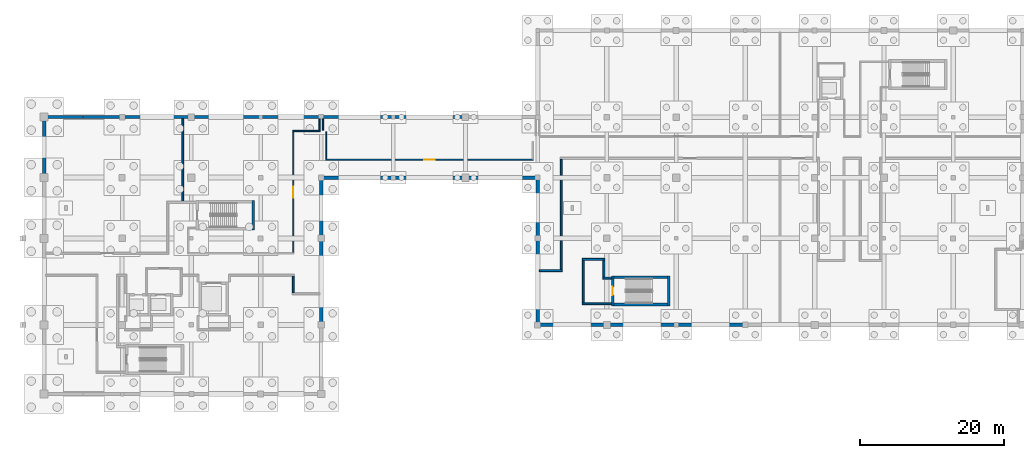
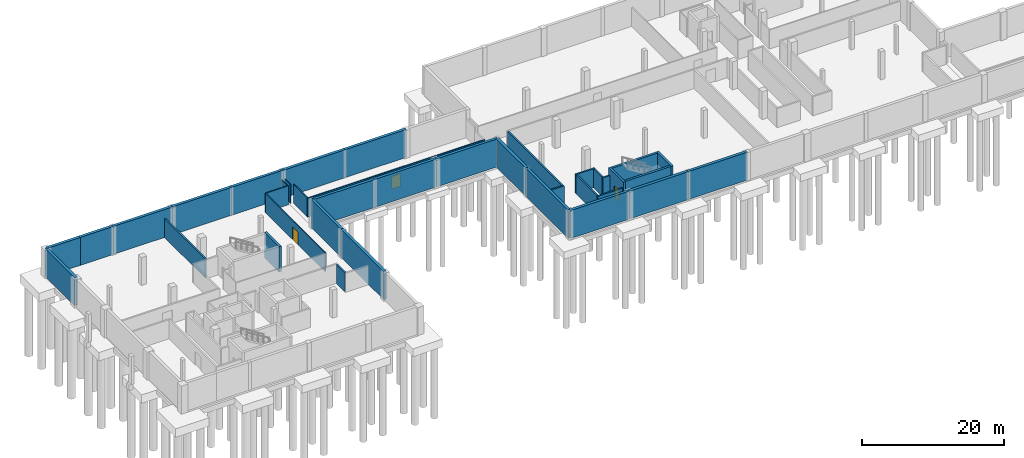
# One storey, part 13 of 28: 38 walls, 3 doors, 3 openings.
"""IFC4 building model written with IfcOpenShell, lengths in metres."""

import ifcopenshell
import ifcopenshell.guid

model = None  # the IFC model being written
_history = None  # IfcOwnerHistory: only IFC2X3 demands one
_inside = {}  # id of a spatial element -> (the spatial element, [elements in it])
_under = {}  # id of a project, library or spatial element -> (it, [spatial elements below it])
_declared = {}  # id of a project -> (the project, [libraries it declares])
_typed = {}  # id of a type object -> (the type object, [elements of that type])
_made_of = {}  # id of a material, layer set ... -> (it, [elements and type objects made of it])


def new_model(schema):
    """Start an empty IFC model of exactly this schema.

    Asked for "IFC4X3", IfcOpenShell would pick the latest addendum, in which some entities
    have other attributes; the version numbers below select the first issue.
    IFC2X3 requires an IfcOwnerHistory on every rooted entity: one is made here for all.
    """
    global model, _history
    if schema == "IFC4X3":
        model = ifcopenshell.file(schema_version=(4, 3, 0, 0))
    else:
        model = ifcopenshell.file(schema=schema)
    _inside.clear()
    _under.clear()
    _declared.clear()
    _typed.clear()
    _made_of.clear()
    _history = None
    if model.schema == "IFC2X3":
        org = make("IfcOrganization", Name="unknown")
        user = make(
            "IfcPersonAndOrganization",
            ThePerson=make("IfcPerson", FamilyName="unknown"),
            TheOrganization=org,
        )
        app = make(
            "IfcApplication",
            ApplicationDeveloper=org,
            Version="unknown",
            ApplicationFullName="unknown",
            ApplicationIdentifier="unknown",
        )
        _history = make(
            "IfcOwnerHistory",
            OwningUser=user,
            OwningApplication=app,
            ChangeAction="ADDED",
            CreationDate=0,
        )
    return model


def make(cls, **values):
    """One entity of the class cls with the attributes given. An attribute that is None is left unset."""
    return model.create_entity(
        cls, **{name: value for name, value in values.items() if value is not None}
    )


def rooted(cls, **values):
    """An entity with a GlobalId (a new one), such as an element, a storey or a relation."""
    return make(cls, GlobalId=ifcopenshell.guid.new(), OwnerHistory=_history, **values)


def si_unit(unit_type, name, prefix=None):
    """IfcSIUnit, for example si_unit("LENGTHUNIT", "METRE", prefix="MILLI")."""
    return make("IfcSIUnit", UnitType=unit_type, Prefix=prefix, Name=name)


def assignment(units):
    """IfcUnitAssignment: the units of a project."""
    return None if units is None else make("IfcUnitAssignment", Units=units)


def point(xyz):
    """IfcCartesianPoint."""
    return None if xyz is None else make("IfcCartesianPoint", Coordinates=xyz)


def direction(xyz):
    """IfcDirection."""
    return None if xyz is None else make("IfcDirection", DirectionRatios=xyz)


def frame(location, z_axis=None, x_axis=None):
    """IfcAxis2Placement3D, a coordinate frame: its origin and axes. An axis left out is left unset."""
    return make(
        "IfcAxis2Placement3D",
        Location=point(location),
        Axis=direction(z_axis),
        RefDirection=direction(x_axis),
    )


def frame_2d(location, x_axis=None):
    """IfcAxis2Placement2D, a coordinate frame in the plane: its origin and x axis."""
    return make(
        "IfcAxis2Placement2D", Location=point(location), RefDirection=direction(x_axis)
    )


def origin():
    """The frame at (0, 0, 0) with its axes left unset."""
    return frame((0.0, 0.0, 0.0))


def place(relative_to, where):
    """IfcLocalPlacement: puts the frame where relative to a parent placement (None: the world)."""
    return make(
        "IfcLocalPlacement", PlacementRelTo=relative_to, RelativePlacement=where
    )


def context(
    kind, dimensions, precision=None, world=None, true_north=None, identifier=None
):
    """IfcGeometricRepresentationContext, for example the 3D "Model" context."""
    return make(
        "IfcGeometricRepresentationContext",
        ContextIdentifier=identifier,
        ContextType=kind,
        CoordinateSpaceDimension=dimensions,
        Precision=precision,
        WorldCoordinateSystem=world,
        TrueNorth=true_north,
    )


def subcontext(parent, identifier, kind, view, scale=None):
    """IfcGeometricRepresentationSubContext, for example "Body" below "Model"."""
    return make(
        "IfcGeometricRepresentationSubContext",
        ContextIdentifier=identifier,
        ContextType=kind,
        ParentContext=parent,
        TargetScale=scale,
        TargetView=view,
    )


def project(units=None, contexts=None):
    """IfcProject with its units and contexts."""
    return rooted(
        "IfcProject",
        Name="project",
        RepresentationContexts=contexts,
        UnitsInContext=assignment(units),
    )


def spatial(cls, under=None, at=None, **own):
    """A site, building, storey or space (cls), placed at a placement, below another one or the project."""
    s = rooted(cls, ObjectPlacement=at, **own)
    if under is not None:
        _under.setdefault(under.id(), (under, []))[1].append(s)
    return s


def profile(cls, at=None, kind="AREA", **sizes):
    """A parametric profile (cls). Its sizes go by their IFC names, for example OverallWidth=200.0."""
    return make(cls, ProfileType=kind, Position=at, **sizes)


def rectangle(**sizes):
    """IfcRectangleProfileDef."""
    return profile("IfcRectangleProfileDef", **sizes)


def extrude(swept, where, along, depth):
    """IfcExtrudedAreaSolid: the profile swept, set in the frame where, extruded along a direction by depth."""
    return make(
        "IfcExtrudedAreaSolid",
        SweptArea=swept,
        Position=where,
        ExtrudedDirection=direction(along),
        Depth=depth,
    )


def shape(context_of_items, identifier, shape_type, items):
    """IfcShapeRepresentation: the items that make up one representation, for example the "Body"."""
    return make(
        "IfcShapeRepresentation",
        ContextOfItems=context_of_items,
        RepresentationIdentifier=identifier,
        RepresentationType=shape_type,
        Items=items,
    )


def material(Name=None, Category=None):
    """IfcMaterial."""
    return make("IfcMaterial", Name=Name, Category=Category)


def layer(
    of_material, thickness, ventilated=None, Name=None, Category=None, Priority=None
):
    """IfcMaterialLayer: one layer of a wall or slab, of a material (None: an air gap)."""
    return make(
        "IfcMaterialLayer",
        Material=of_material,
        LayerThickness=thickness,
        IsVentilated=ventilated,
        Name=Name,
        Category=Category,
        Priority=Priority,
    )


def layer_set(layers, Name=None):
    """IfcMaterialLayerSet."""
    return make("IfcMaterialLayerSet", MaterialLayers=layers, LayerSetName=Name)


def made_of(thing, what):
    """Note that an element or type object is made of a material, layer set ...; save() writes the relation."""
    if what is not None:
        _made_of.setdefault(what.id(), (what, []))[1].append(thing)
    return thing


def type_object(cls, material=None, **own):
    """A type object (cls), such as IfcWallType, which elements share."""
    return made_of(rooted(cls, **own), material)


def element(
    cls,
    number,
    at=None,
    inside=None,
    cuts=None,
    type_object=None,
    material=None,
    context=None,
    identifier="Body",
    shape_type=None,
    held_by="IfcProductDefinitionShape",
    body=None,
    shapes=None,
    **own,
):
    """One element of the class cls, such as IfcWall. Its Tag is "e" and its number.

    at: its placement. inside: the storey or other place that contains it. cuts: it is an
    opening in that element (IfcRelVoidsElement). A single representation is given by context,
    identifier, shape_type and body (its items); several are given by shapes. held_by: the class
    of the entity that holds the representations. save() writes the other relations.
    """
    e = rooted(cls, Tag="e%d" % number, ObjectPlacement=at, **own)
    if body is not None:
        shapes = [shape(context, identifier, shape_type, body)]
    if shapes is not None:
        e.Representation = make(held_by, Representations=shapes)
    if inside is not None:
        _inside.setdefault(inside.id(), (inside, []))[1].append(e)
    if cuts is not None:
        rooted(
            "IfcRelVoidsElement", RelatingBuildingElement=cuts, RelatedOpeningElement=e
        )
    if type_object is not None:
        _typed.setdefault(type_object.id(), (type_object, []))[1].append(e)
    return made_of(e, material)


def fill(opening, filler):
    """IfcRelFillsElement: the door or window that sits in an opening."""
    return rooted(
        "IfcRelFillsElement",
        RelatingOpeningElement=opening,
        RelatedBuildingElement=filler,
    )


def aggregate(whole, parts):
    """IfcRelAggregates: a whole, such as a stair, and the parts it consists of."""
    return rooted("IfcRelAggregates", RelatingObject=whole, RelatedObjects=parts)


def save(model, path):
    """Write the relations noted so far, then the file.

    IfcRelAggregates (storeys below a building ...), IfcRelContainedInSpatialStructure (elements
    in a storey), IfcRelDefinesByType, IfcRelAssociatesMaterial and IfcRelDeclares: one each for
    every whole, place, type object, material and project.
    """
    for whole, parts in _under.values():
        aggregate(whole, parts)
    for where, things in _inside.values():
        rooted(
            "IfcRelContainedInSpatialStructure",
            RelatedElements=things,
            RelatingStructure=where,
        )
    for kind, things in _typed.values():
        rooted("IfcRelDefinesByType", RelatedObjects=things, RelatingType=kind)
    for what, things in _made_of.values():
        rooted("IfcRelAssociatesMaterial", RelatedObjects=things, RelatingMaterial=what)
    for by, libraries in _declared.values():
        rooted("IfcRelDeclares", RelatingContext=by, RelatedDefinitions=libraries)
    model.write(path)


model = new_model("IFC4")

# Units and contexts
model_context = context("Model", 3, precision=1e-05, world=origin(), true_north=direction((0.0, 1.0)))
body_context = subcontext(model_context, "Body", "Model", "MODEL_VIEW")
ifc_project = project(units=[si_unit("LENGTHUNIT", "METRE"), si_unit("AREAUNIT", "SQUARE_METRE"), si_unit("VOLUMEUNIT", "CUBIC_METRE"), si_unit("PLANEANGLEUNIT", "RADIAN"), si_unit("MASSUNIT", "GRAM", prefix="KILO")], contexts=[model_context])

# Site, building, storey
site_placement = place(None, origin())
site = spatial("IfcSite", under=ifc_project, at=site_placement, CompositionType="ELEMENT")
building_placement = place(site_placement, origin())
building = spatial("IfcBuilding", under=site, at=building_placement, Name="Zereglee Splitstone Museum", CompositionType="ELEMENT")
storey_placement = place(building_placement, frame((0.0, 0.0, -4.800048828125)))
storey = spatial("IfcBuildingStorey", under=building, at=storey_placement, Name="B1", CompositionType="ELEMENT", Elevation=-4.800048828125)

# Walls
ifc_material_1 = material(Name="Concrete C40/50", Category="concrete")
ifc_layer_1 = layer(ifc_material_1, 0.449951171875)
ifc_layer_set_1 = layer_set([ifc_layer_1], Name="Concrete C40/50")
wall_type_1 = type_object("IfcWallType", Name="ESW-01", PredefinedType="SHEAR", material=ifc_layer_set_1)
for number, where, z_axis, x_axis, name in (
    (1, (68.0, 38.39990234375, 0.0), (0.0, 0.0, 1.0), (-1.0, 0.0, 0.0), "Basement Perimeter Retaining Wall B1-074"),
    (2, (58.0, 38.39990234375, 0.0), (0.0, 0.0, 1.0), (-1.0, 0.0, 0.0), "Basement Perimeter Retaining Wall B1-075"),
):
    element("IfcWall", number, at=place(storey_placement, frame(where, z_axis=z_axis, x_axis=x_axis)), inside=storey, type_object=wall_type_1, Name=name, PredefinedType="SHEAR", context=body_context, shape_type="SweptSolid", body=[
        extrude(rectangle(XDim=10.0, YDim=0.449951171875, at=frame_2d((5.0, 0.0))), origin(), (0.0, 0.0, 1.0), 4.800048828125),
    ])
wall_1_placement = place(storey_placement, frame((48.0, 38.39990234375, 0.0), z_axis=(0.0, 0.0, 1.0), x_axis=(-1.0, 0.0, 0.0)))
element("IfcWall", 3, at=wall_1_placement, inside=storey, type_object=wall_type_1, Name="Basement Perimeter Retaining Wall B1-076", PredefinedType="SHEAR", context=body_context, shape_type="SweptSolid", body=[
    extrude(rectangle(XDim=8.39990234375, YDim=0.449951171875, at=frame_2d((4.199951171875, 0.0))), origin(), (0.0, 0.0, 1.0), 4.800048828125),
])
for number, where, z_axis, x_axis, name in (
    (4, (39.60009765625, 38.39990234375, 0.0), (0.0, 0.0, 1.0), (-1.0, 0.0, 0.0), "Basement Perimeter Retaining Wall B1-077"),
    (5, (30.0, 38.39990234375, 0.0), (0.0, 0.0, 1.0), (-1.0, 0.0, 0.0), "Basement Perimeter Retaining Wall B1-078"),
):
    element("IfcWall", number, at=place(storey_placement, frame(where, z_axis=z_axis, x_axis=x_axis)), inside=storey, type_object=wall_type_1, Name=name, PredefinedType="SHEAR", context=body_context, shape_type="SweptSolid", body=[
        extrude(rectangle(XDim=9.60009765625, YDim=0.449951171875, at=frame_2d((4.800048828125, 0.0))), origin(), (0.0, 0.0, 1.0), 4.800048828125),
    ])
for number, where, z_axis, x_axis, name in (
    (6, (20.39990234375, 38.39990234375, 0.0), (0.0, 0.0, 1.0), (-1.0, 0.0, 0.0), "Basement Perimeter Retaining Wall B1-079"),
    (7, (15.0, 38.39990234375, 0.0), (0.0, 0.0, 1.0), (-1.0, 0.0, 0.0), "Basement Perimeter Retaining Wall B1-080"),
):
    element("IfcWall", number, at=place(storey_placement, frame(where, z_axis=z_axis, x_axis=x_axis)), inside=storey, type_object=wall_type_1, Name=name, PredefinedType="SHEAR", context=body_context, shape_type="SweptSolid", body=[
        extrude(rectangle(XDim=5.39990234375, YDim=0.449951171875, at=frame_2d((2.699951171875, 0.0))), origin(), (0.0, 0.0, 1.0), 4.800048828125),
    ])
wall_2_placement = place(storey_placement, frame((9.60009765625, 38.39990234375, 0.0), z_axis=(0.0, 0.0, 1.0), x_axis=(0.0, -1.0, 0.0)))
element("IfcWall", 8, at=wall_2_placement, inside=storey, type_object=wall_type_1, Name="Basement Perimeter Retaining Wall B1-081", PredefinedType="SHEAR", context=body_context, shape_type="SweptSolid", body=[
    extrude(rectangle(XDim=8.39990234375, YDim=0.449951171875, at=frame_2d((4.199951171875, 0.0))), origin(), (0.0, 0.0, 1.0), 4.800048828125),
])
wall_3_placement = place(storey_placement, frame((48.0, 9.60009765625, 0.0), z_axis=(0.0, 0.0, 1.0), x_axis=(0.0, 1.0, 0.0)))
element("IfcWall", 9, at=wall_3_placement, inside=storey, type_object=wall_type_1, Name="Basement Perimeter Retaining Wall B1-091", PredefinedType="SHEAR", context=body_context, shape_type="SweptSolid", body=[
    extrude(rectangle(XDim=12.0, YDim=0.449951171875, at=frame_2d((6.0, 0.0))), origin(), (0.0, 0.0, 1.0), 4.800048828125),
])
wall_4_placement = place(storey_placement, frame((48.0, 21.60009765625, 0.0), z_axis=(0.0, 0.0, 1.0), x_axis=(0.0, 1.0, 0.0)))
element("IfcWall", 10, at=wall_4_placement, inside=storey, type_object=wall_type_1, Name="Basement Perimeter Retaining Wall B1-092", PredefinedType="SHEAR", context=body_context, shape_type="SweptSolid", body=[
    extrude(rectangle(XDim=8.39990234375, YDim=0.449951171875, at=frame_2d((4.199951171875, 0.0))), origin(), (0.0, 0.0, 1.0), 4.800048828125),
])
for number, where, z_axis, x_axis, name in (
    (11, (48.0, 30.0, 0.0), (0.0, 0.0, 1.0), (1.0, 0.0, 0.0), "Basement Perimeter Retaining Wall B1-093"),
    (12, (58.0, 30.0, 0.0), (0.0, 0.0, 1.0), (1.0, 0.0, 0.0), "Basement Perimeter Retaining Wall B1-094"),
    (13, (68.0, 30.0, 0.0), (0.0, 0.0, 1.0), (1.0, 0.0, 0.0), "Basement Perimeter Retaining Wall B1-095"),
):
    element("IfcWall", number, at=place(storey_placement, frame(where, z_axis=z_axis, x_axis=x_axis)), inside=storey, type_object=wall_type_1, Name=name, PredefinedType="SHEAR", context=body_context, shape_type="SweptSolid", body=[
        extrude(rectangle(XDim=10.0, YDim=0.449951171875, at=frame_2d((5.0, 0.0))), origin(), (0.0, 0.0, 1.0), 4.800048828125),
    ])
wall_5_placement = place(storey_placement, frame((78.0, 30.0, 0.0), z_axis=(0.0, 0.0, 1.0), x_axis=(0.0, -1.0, 0.0)))
element("IfcWall", 14, at=wall_5_placement, inside=storey, type_object=wall_type_1, Name="Basement Perimeter Retaining Wall B1-096", PredefinedType="SHEAR", context=body_context, shape_type="SweptSolid", body=[
    extrude(rectangle(XDim=8.39990234375, YDim=0.449951171875, at=frame_2d((4.199951171875, 0.0))), origin(), (0.0, 0.0, 1.0), 4.800048828125),
])
wall_6_placement = place(storey_placement, frame((78.0, 21.60009765625, 0.0), z_axis=(0.0, 0.0, 1.0), x_axis=(0.0, -1.0, 0.0)))
element("IfcWall", 15, at=wall_6_placement, inside=storey, type_object=wall_type_1, Name="Basement Perimeter Retaining Wall B1-097", PredefinedType="SHEAR", context=body_context, shape_type="SweptSolid", body=[
    extrude(rectangle(XDim=12.0, YDim=0.449951171875, at=frame_2d((6.0, 0.0))), origin(), (0.0, 0.0, 1.0), 4.800048828125),
])
wall_7_placement = place(storey_placement, frame((78.0, 9.60009765625, 0.0), z_axis=(0.0, 0.0, 1.0), x_axis=(1.0, 0.0, 0.0)))
element("IfcWall", 16, at=wall_7_placement, inside=storey, type_object=wall_type_1, Name="Basement Perimeter Retaining Wall B1-098", PredefinedType="SHEAR", context=body_context, shape_type="SweptSolid", body=[
    extrude(rectangle(XDim=9.60009765625, YDim=0.449951171875, at=frame_2d((4.800048828125, 0.0))), origin(), (0.0, 0.0, 1.0), 4.800048828125),
])
wall_8_placement = place(storey_placement, frame((87.60009765625, 9.60009765625, 0.0), z_axis=(0.0, 0.0, 1.0), x_axis=(1.0, 0.0, 0.0)))
element("IfcWall", 17, at=wall_8_placement, inside=storey, type_object=wall_type_1, Name="Basement Perimeter Retaining Wall B1-099", PredefinedType="SHEAR", context=body_context, shape_type="SweptSolid", body=[
    extrude(rectangle(XDim=9.599853515625, YDim=0.449951171875, at=frame_2d((4.7998046875, 0.0))), origin(), (0.0, 0.0, 1.0), 4.800048828125),
])
wall_9_placement = place(storey_placement, frame((97.199951171875, 9.60009765625, 0.0), z_axis=(0.0, 0.0, 1.0), x_axis=(1.0, 0.0, 0.0)))
element("IfcWall", 18, at=wall_9_placement, inside=storey, type_object=wall_type_1, Name="Basement Perimeter Retaining Wall B1-100", PredefinedType="SHEAR", context=body_context, shape_type="SweptSolid", body=[
    extrude(rectangle(XDim=9.60009765625, YDim=0.449951171875, at=frame_2d((4.800048828125, 0.0))), origin(), (0.0, 0.0, 1.0), 4.800048828125),
])
ifc_material_2 = material(Name="Concrete C45/55", Category="concrete")
ifc_layer_2 = layer(ifc_material_2, 0.360107421875)
ifc_layer_set_2 = layer_set([ifc_layer_2], Name="Concrete C45/55")
wall_type_2 = type_object("IfcWallType", Name="CSW-02", PredefinedType="SHEAR", material=ifc_layer_set_2)
wall_10_placement = place(storey_placement, frame((38.580078125, 22.739990234375, 0.0), z_axis=(0.0, 0.0, 1.0), x_axis=(0.0, 1.0, 0.0)))
element("IfcWall", 19, at=wall_10_placement, inside=storey, type_object=wall_type_2, Name="Stair Core Shear Wall ST-02 B1 East", PredefinedType="SHEAR", context=body_context, shape_type="SweptSolid", body=[
    extrude(rectangle(XDim=4.1201171875, YDim=0.360107421875, at=frame_2d((2.06005859375, 0.0))), origin(), (0.0, 0.0, 1.0), 4.380126953125),
])

# Wall, opening, door
wall_11_placement = place(storey_placement, frame((88.419921875, 12.239990234375, 0.0), z_axis=(0.0, 0.0, 1.0), x_axis=(0.0, 1.0, 0.0)))
wall_11 = element("IfcWall", 20, at=wall_11_placement, inside=storey, type_object=wall_type_2, Name="Stair Core Shear Wall ST-06 B1 West", PredefinedType="SHEAR", context=body_context, shape_type="SweptSolid", body=[
    extrude(rectangle(XDim=4.1201171875, YDim=0.360107421875, at=frame_2d((2.06005859375, 0.0))), origin(), (0.0, 0.0, 1.0), 4.380126953125),
])
opening_1_placement = place(wall_11_placement, frame((1.485107421875, 0.0, 0.0)))
opening_1 = element("IfcOpeningElement", 21, at=opening_1_placement, cuts=wall_11, Name="Opening ID-03", PredefinedType="OPENING", context=body_context, shape_type="SweptSolid", body=[
    extrude(rectangle(XDim=1.14990234375, YDim=2.14990234375, at=frame_2d((0.574951171875, 1.074951171875))), frame((0.0, 0.19482421875, 0.0), z_axis=(0.0, -1.0, 0.0), x_axis=(1.0, 0.0, 0.0)), (0.0, 0.0, 1.0), 0.389892578125),
])
ifc_material_3 = material(Name="Fire-rated steel and Siberian larch leaf", Category="steel")
door_type_1 = type_object("IfcDoorType", Name="ID-03", OperationType="NOTDEFINED", PredefinedType="DOOR", material=ifc_material_3)
door_1_placement = place(opening_1_placement, origin())
door_1 = element("IfcDoor", 22, at=door_1_placement, inside=storey, type_object=door_type_1, Name="Protected Stair Fire Door ST-06 B1", OperationType="SINGLE_SWING_LEFT", OverallHeight=2.14990234375, OverallWidth=1.14990234375, PredefinedType="DOOR", context=body_context, shape_type="SweptSolid", body=[
    extrude(rectangle(XDim=1.14990234375, YDim=2.14990234375, at=frame_2d((0.574951171875, 1.074951171875))), frame((0.0, 0.02490234375, 0.0), z_axis=(0.0, -1.0, 0.0), x_axis=(1.0, 0.0, 0.0)), (0.0, 0.0, 1.0), 0.050048828125),
])
fill(opening_1, door_1)

# Walls
wall_12_placement = place(storey_placement, frame((96.179931640625, 12.239990234375, 0.0), z_axis=(0.0, 0.0, 1.0), x_axis=(0.0, 1.0, 0.0)))
element("IfcWall", 23, at=wall_12_placement, inside=storey, type_object=wall_type_2, Name="Stair Core Shear Wall ST-06 B1 East", PredefinedType="SHEAR", context=body_context, shape_type="SweptSolid", body=[
    extrude(rectangle(XDim=4.1201171875, YDim=0.360107421875, at=frame_2d((2.06005859375, 0.0))), origin(), (0.0, 0.0, 1.0), 4.380126953125),
])
for number, where, z_axis, x_axis, name in (
    (24, (88.60009765625, 16.179931640625, 0.0), (0.0, 0.0, 1.0), (1.0, 0.0, 0.0), "Stair Core Shear Wall ST-06 B1 North"),
    (25, (88.60009765625, 12.419921875, 0.0), (0.0, 0.0, 1.0), (1.0, 0.0, 0.0), "Stair Core Shear Wall ST-06 B1 South"),
):
    element("IfcWall", number, at=place(storey_placement, frame(where, z_axis=z_axis, x_axis=x_axis)), inside=storey, type_object=wall_type_2, Name=name, PredefinedType="SHEAR", context=body_context, shape_type="SweptSolid", body=[
        extrude(rectangle(XDim=7.39990234375, YDim=0.360107421875, at=frame_2d((3.699951171875, 0.0))), origin(), (0.0, 0.0, 1.0), 4.380126953125),
    ])
ifc_layer_3 = layer(ifc_material_1, 0.25)
ifc_layer_set_3 = layer_set([ifc_layer_3], Name="Concrete C40/50")
wall_type_3 = type_object("IfcWallType", Name="IW-03", PredefinedType="PARTITIONING", material=ifc_layer_set_3)
wall_13_placement = place(storey_placement, frame((84.195068359375, 12.52001953125, 0.0), z_axis=(0.0, 0.0, 1.0), x_axis=(1.0, 0.0, 0.0)))
element("IfcWall", 26, at=wall_13_placement, inside=storey, type_object=wall_type_3, Name="Interior Partition B1-0011 (Mineralogy Collection Archive)", PredefinedType="PARTITIONING", context=body_context, shape_type="SweptSolid", body=[
    extrude(rectangle(XDim=4.044921875, YDim=0.25, at=frame_2d((2.0224609375, 0.0))), origin(), (0.0, 0.0, 1.0), 3.260009765625),
])
wall_14_placement = place(storey_placement, frame((87.054931640625, 16.080078125, 0.0), z_axis=(0.0, 0.0, 1.0), x_axis=(1.0, 0.0, 0.0)))
element("IfcWall", 27, at=wall_14_placement, inside=storey, type_object=wall_type_3, Name="Interior Partition B1-0017 (Mineralogy Collection Archive)", PredefinedType="PARTITIONING", context=body_context, shape_type="SweptSolid", body=[
    extrude(rectangle(XDim=1.18505859375, YDim=0.25, at=frame_2d((0.592529296875, 0.0))), origin(), (0.0, 0.0, 1.0), 3.260009765625),
])
wall_15_placement = place(storey_placement, frame((78.22509765625, 17.1201171875, 0.0), z_axis=(0.0, 0.0, 1.0), x_axis=(1.0, 0.0, 0.0)))
element("IfcWall", 28, at=wall_15_placement, inside=storey, type_object=wall_type_3, Name="Interior Partition B1-0024 (Mineralogy Collection Archive)", PredefinedType="PARTITIONING", context=body_context, shape_type="SweptSolid", body=[
    extrude(rectangle(XDim=3.179931640625, YDim=0.25, at=frame_2d((1.58984375, 0.0))), origin(), (0.0, 0.0, 1.0), 3.260009765625),
])
wall_16_placement = place(storey_placement, frame((84.195068359375, 18.679931640625, 0.0), z_axis=(0.0, 0.0, 1.0), x_axis=(1.0, 0.0, 0.0)))
element("IfcWall", 29, at=wall_16_placement, inside=storey, type_object=wall_type_3, Name="Interior Partition B1-0029 (Mineralogy Collection Archive)", PredefinedType="PARTITIONING", context=body_context, shape_type="SweptSolid", body=[
    extrude(rectangle(XDim=3.10986328125, YDim=0.25, at=frame_2d((1.554931640625, 0.0))), origin(), (0.0, 0.0, 1.0), 3.260009765625),
])
wall_17_placement = place(storey_placement, frame((28.800048828125, 26.705078125, 0.0), z_axis=(0.0, 0.0, 1.0), x_axis=(0.0, 1.0, 0.0)))
element("IfcWall", 30, at=wall_17_placement, inside=storey, type_object=wall_type_3, Name="Interior Partition B1-0079 (Paleontology Specimen Archive)", PredefinedType="PARTITIONING", context=body_context, shape_type="SweptSolid", body=[
    extrude(rectangle(XDim=11.469970703125, YDim=0.25, at=frame_2d((5.73486328125, 0.0))), origin(), (0.0, 0.0, 1.0), 3.260009765625),
])
wall_18_placement = place(storey_placement, frame((44.1201171875, 14.044921875, 0.0), z_axis=(0.0, 0.0, 1.0), x_axis=(0.0, 1.0, 0.0)))
element("IfcWall", 31, at=wall_18_placement, inside=storey, type_object=wall_type_3, Name="Interior Partition B1-0085 (Natural History Collection Archive)", PredefinedType="PARTITIONING", context=body_context, shape_type="SweptSolid", body=[
    extrude(rectangle(XDim=2.31005859375, YDim=0.25, at=frame_2d((1.155029296875, 0.0))), origin(), (0.0, 0.0, 1.0), 3.260009765625),
])
wall_19_placement = place(storey_placement, frame((81.280029296875, 17.2451171875, 0.0), z_axis=(0.0, 0.0, 1.0), x_axis=(0.0, 1.0, 0.0)))
element("IfcWall", 32, at=wall_19_placement, inside=storey, type_object=wall_type_3, Name="Interior Partition B1-0093 (Mineralogy Collection Archive)", PredefinedType="PARTITIONING", context=body_context, shape_type="SweptSolid", body=[
    extrude(rectangle(XDim=15.309814453125, YDim=0.25, at=frame_2d((7.65478515625, 0.0))), origin(), (0.0, 0.0, 1.0), 3.260009765625),
])
wall_20_placement = place(storey_placement, frame((84.320068359375, 12.64501953125, 0.0), z_axis=(0.0, 0.0, 1.0), x_axis=(0.0, 1.0, 0.0)))
element("IfcWall", 33, at=wall_20_placement, inside=storey, type_object=wall_type_3, Name="Interior Partition B1-0094 (Mineralogy Collection Archive)", PredefinedType="PARTITIONING", context=body_context, shape_type="SweptSolid", body=[
    extrude(rectangle(XDim=5.909912109375, YDim=0.25, at=frame_2d((2.955078125, 0.0))), origin(), (0.0, 0.0, 1.0), 3.260009765625),
])
wall_21_placement = place(storey_placement, frame((87.179931640625, 16.205078125, 0.0), z_axis=(0.0, 0.0, 1.0), x_axis=(0.0, 1.0, 0.0)))
element("IfcWall", 34, at=wall_21_placement, inside=storey, type_object=wall_type_3, Name="Interior Partition B1-0095 (Mineralogy Collection Archive)", PredefinedType="PARTITIONING", context=body_context, shape_type="SweptSolid", body=[
    extrude(rectangle(XDim=2.349853515625, YDim=0.25, at=frame_2d((1.1748046875, 0.0))), origin(), (0.0, 0.0, 1.0), 3.260009765625),
])

# Wall, opening, door
ifc_material_4 = material(Name="Fire-rated gypsum board partition", Category="masonry")
ifc_layer_4 = layer(ifc_material_4, 0.159912109375)
ifc_layer_set_4 = layer_set([ifc_layer_4], Name="Fire-rated gypsum board partition")
wall_type_4 = type_object("IfcWallType", Name="IW-04", PredefinedType="PARTITIONING", material=ifc_layer_set_4)
wall_22_placement = place(storey_placement, frame((48.60009765625, 32.47998046875, 0.0), z_axis=(0.0, 0.0, 1.0), x_axis=(1.0, 0.0, 0.0)))
wall_22 = element("IfcWall", 35, at=wall_22_placement, inside=storey, type_object=wall_type_4, Name="Interior Partition B1-0047 (Conservation Preparation Studio)", PredefinedType="PARTITIONING", context=body_context, shape_type="SweptSolid", body=[
    extrude(rectangle(XDim=28.7998046875, YDim=0.159912109375, at=frame_2d((14.39990234375, 0.0))), origin(), (0.0, 0.0, 1.0), 3.260009765625),
])
opening_2_placement = place(wall_22_placement, frame((13.64990234375, 0.0, 0.0)))
opening_2 = element("IfcOpeningElement", 36, at=opening_2_placement, cuts=wall_22, Name="Opening ID-07", PredefinedType="OPENING", context=body_context, shape_type="SweptSolid", body=[
    extrude(rectangle(XDim=1.5, YDim=2.199951171875, at=frame_2d((0.75, 1.10009765625))), frame((0.0, 0.0947265625, 0.0), z_axis=(0.0, -1.0, 0.0), x_axis=(1.0, 0.0, 0.0)), (0.0, 0.0, 1.0), 0.189697265625),
])
door_type_2 = type_object("IfcDoorType", Name="ID-07", OperationType="NOTDEFINED", PredefinedType="DOOR", material=ifc_material_3)
door_2_placement = place(opening_2_placement, origin())
door_2 = element("IfcDoor", 37, at=door_2_placement, inside=storey, type_object=door_type_2, Name="Interior Door B1-0006 (Conservation Preparation Studio)", OperationType="DOUBLE_DOOR_SINGLE_SWING", OverallHeight=2.199951171875, OverallWidth=1.5, PredefinedType="DOOR", context=body_context, shape_type="SweptSolid", body=[
    extrude(rectangle(XDim=1.5, YDim=2.199951171875, at=frame_2d((0.75, 1.10009765625))), frame((0.0, 0.02490234375, 0.0), z_axis=(0.0, -1.0, 0.0), x_axis=(1.0, 0.0, 0.0)), (0.0, 0.0, 1.0), 0.050048828125),
])
fill(opening_2, door_2)

# Wall
wall_23_placement = place(storey_placement, frame((44.0400390625, 36.47998046875, 0.0), z_axis=(0.0, 0.0, 1.0), x_axis=(1.0, 0.0, 0.0)))
element("IfcWall", 38, at=wall_23_placement, inside=storey, type_object=wall_type_4, Name="Interior Partition B1-0058 (Stone Conservation Laboratory)", PredefinedType="PARTITIONING", context=body_context, shape_type="SweptSolid", body=[
    extrude(rectangle(XDim=3.800048828125, YDim=0.159912109375, at=frame_2d((1.89990234375, 0.0))), origin(), (0.0, 0.0, 1.0), 3.260009765625),
])

# Wall, opening, door
wall_24_placement = place(storey_placement, frame((44.1201171875, 19.60009765625, 0.0), z_axis=(0.0, 0.0, 1.0), x_axis=(0.0, 1.0, 0.0)))
wall_24 = element("IfcWall", 39, at=wall_24_placement, inside=storey, type_object=wall_type_4, Name="Interior Partition B1-0086 (Stone Conservation Laboratory)", PredefinedType="PARTITIONING", context=body_context, shape_type="SweptSolid", body=[
    extrude(rectangle(XDim=16.7998046875, YDim=0.159912109375, at=frame_2d((8.39990234375, 0.0))), origin(), (0.0, 0.0, 1.0), 3.260009765625),
])
opening_3_placement = place(wall_24_placement, frame((7.64990234375, 0.0, 0.0)))
opening_3 = element("IfcOpeningElement", 40, at=opening_3_placement, cuts=wall_24, Name="Opening ID-07", PredefinedType="OPENING", context=body_context, shape_type="SweptSolid", body=[
    extrude(rectangle(XDim=1.5, YDim=2.199951171875, at=frame_2d((0.75, 1.10009765625))), frame((0.0, 0.0947265625, 0.0), z_axis=(0.0, -1.0, 0.0), x_axis=(1.0, 0.0, 0.0)), (0.0, 0.0, 1.0), 0.189697265625),
])
door_3_placement = place(opening_3_placement, origin())
door_3 = element("IfcDoor", 41, at=door_3_placement, inside=storey, type_object=door_type_2, Name="Interior Door B1-0005 (Stone Conservation Laboratory)", OperationType="DOUBLE_DOOR_SINGLE_SWING", OverallHeight=2.199951171875, OverallWidth=1.5, PredefinedType="DOOR", context=body_context, shape_type="SweptSolid", body=[
    extrude(rectangle(XDim=1.5, YDim=2.199951171875, at=frame_2d((0.75, 1.10009765625))), frame((0.0, 0.02490234375, 0.0), z_axis=(0.0, -1.0, 0.0), x_axis=(1.0, 0.0, 0.0)), (0.0, 0.0, 1.0), 0.050048828125),
])
fill(opening_3, door_3)

# Walls
for number, where, z_axis, x_axis, name in (
    (42, (47.760009765625, 36.56005859375, 0.0), (0.0, 0.0, 1.0), (0.0, 1.0, 0.0), "Interior Partition B1-0087 (Stone Conservation Laboratory)"),
    (43, (48.239990234375, 36.56005859375, 0.0), (0.0, 0.0, 1.0), (0.0, 1.0, 0.0), "Interior Partition B1-0088 (Conservation Preparation Studio)"),
):
    element("IfcWall", number, at=place(storey_placement, frame(where, z_axis=z_axis, x_axis=x_axis)), inside=storey, type_object=wall_type_4, Name=name, PredefinedType="PARTITIONING", context=body_context, shape_type="SweptSolid", body=[
        extrude(rectangle(XDim=1.614990234375, YDim=0.159912109375, at=frame_2d((0.8076171875, 0.0))), origin(), (0.0, 0.0, 1.0), 3.260009765625),
    ])
wall_25_placement = place(storey_placement, frame((48.679931640625, 32.56005859375, 0.0), z_axis=(0.0, 0.0, 1.0), x_axis=(0.0, 1.0, 0.0)))
element("IfcWall", 44, at=wall_25_placement, inside=storey, type_object=wall_type_4, Name="Interior Partition B1-0089 (Conservation Preparation Studio)", PredefinedType="PARTITIONING", context=body_context, shape_type="SweptSolid", body=[
    extrude(rectangle(XDim=3.83984375, YDim=0.159912109375, at=frame_2d((1.919921875, 0.0))), origin(), (0.0, 0.0, 1.0), 3.260009765625),
])

save(model, "model.ifc")
